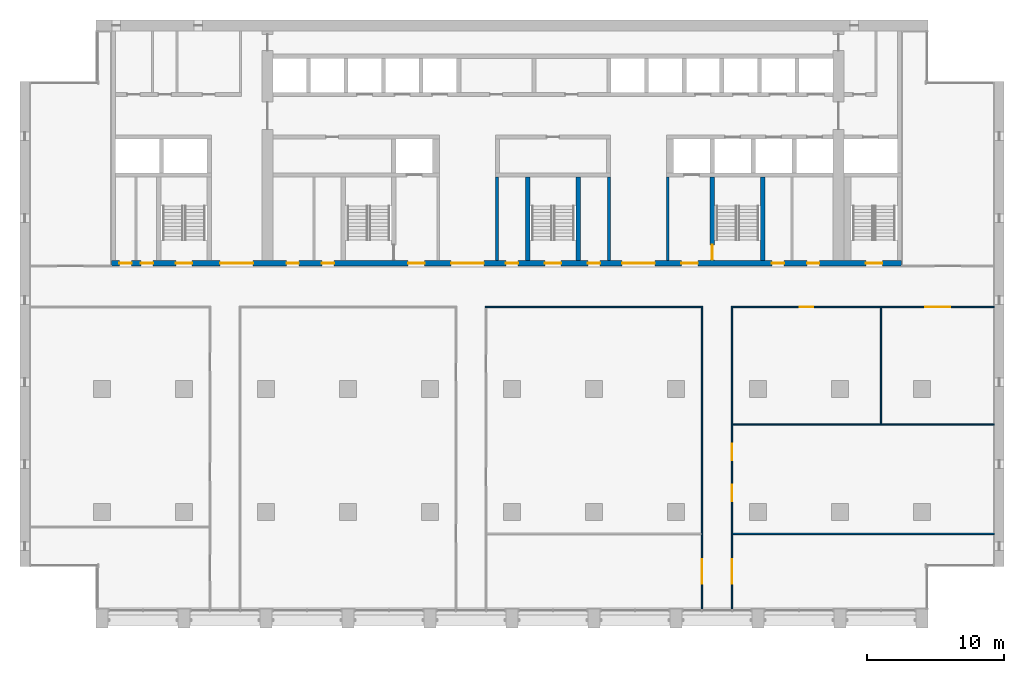
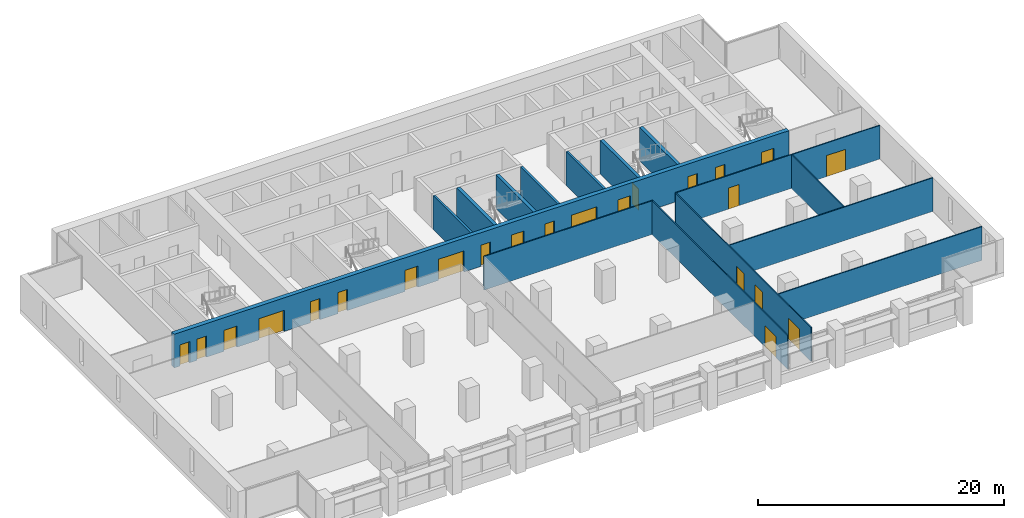
# One storey, part 9 of 16: 23 doors, 15 walls, 23 openings.
"""IFC4 building model written with IfcOpenShell, lengths in metres."""

import ifcopenshell
import ifcopenshell.guid

model = None  # the IFC model being written
_history = None  # IfcOwnerHistory: only IFC2X3 demands one
_inside = {}  # id of a spatial element -> (the spatial element, [elements in it])
_under = {}  # id of a project, library or spatial element -> (it, [spatial elements below it])
_declared = {}  # id of a project -> (the project, [libraries it declares])
_typed = {}  # id of a type object -> (the type object, [elements of that type])
_made_of = {}  # id of a material, layer set ... -> (it, [elements and type objects made of it])


def new_model(schema):
    """Start an empty IFC model of exactly this schema.

    Asked for "IFC4X3", IfcOpenShell would pick the latest addendum, in which some entities
    have other attributes; the version numbers below select the first issue.
    IFC2X3 requires an IfcOwnerHistory on every rooted entity: one is made here for all.
    """
    global model, _history
    if schema == "IFC4X3":
        model = ifcopenshell.file(schema_version=(4, 3, 0, 0))
    else:
        model = ifcopenshell.file(schema=schema)
    _inside.clear()
    _under.clear()
    _declared.clear()
    _typed.clear()
    _made_of.clear()
    _history = None
    if model.schema == "IFC2X3":
        org = make("IfcOrganization", Name="unknown")
        user = make(
            "IfcPersonAndOrganization",
            ThePerson=make("IfcPerson", FamilyName="unknown"),
            TheOrganization=org,
        )
        app = make(
            "IfcApplication",
            ApplicationDeveloper=org,
            Version="unknown",
            ApplicationFullName="unknown",
            ApplicationIdentifier="unknown",
        )
        _history = make(
            "IfcOwnerHistory",
            OwningUser=user,
            OwningApplication=app,
            ChangeAction="ADDED",
            CreationDate=0,
        )
    return model


def make(cls, **values):
    """One entity of the class cls with the attributes given. An attribute that is None is left unset."""
    return model.create_entity(
        cls, **{name: value for name, value in values.items() if value is not None}
    )


def rooted(cls, **values):
    """An entity with a GlobalId (a new one), such as an element, a storey or a relation."""
    return make(cls, GlobalId=ifcopenshell.guid.new(), OwnerHistory=_history, **values)


def si_unit(unit_type, name, prefix=None):
    """IfcSIUnit, for example si_unit("LENGTHUNIT", "METRE", prefix="MILLI")."""
    return make("IfcSIUnit", UnitType=unit_type, Prefix=prefix, Name=name)


def assignment(units):
    """IfcUnitAssignment: the units of a project."""
    return None if units is None else make("IfcUnitAssignment", Units=units)


def point(xyz):
    """IfcCartesianPoint."""
    return None if xyz is None else make("IfcCartesianPoint", Coordinates=xyz)


def direction(xyz):
    """IfcDirection."""
    return None if xyz is None else make("IfcDirection", DirectionRatios=xyz)


def frame(location, z_axis=None, x_axis=None):
    """IfcAxis2Placement3D, a coordinate frame: its origin and axes. An axis left out is left unset."""
    return make(
        "IfcAxis2Placement3D",
        Location=point(location),
        Axis=direction(z_axis),
        RefDirection=direction(x_axis),
    )


def frame_2d(location, x_axis=None):
    """IfcAxis2Placement2D, a coordinate frame in the plane: its origin and x axis."""
    return make(
        "IfcAxis2Placement2D", Location=point(location), RefDirection=direction(x_axis)
    )


def origin():
    """The frame at (0, 0, 0) with its axes left unset."""
    return frame((0.0, 0.0, 0.0))


def place(relative_to, where):
    """IfcLocalPlacement: puts the frame where relative to a parent placement (None: the world)."""
    return make(
        "IfcLocalPlacement", PlacementRelTo=relative_to, RelativePlacement=where
    )


def context(
    kind, dimensions, precision=None, world=None, true_north=None, identifier=None
):
    """IfcGeometricRepresentationContext, for example the 3D "Model" context."""
    return make(
        "IfcGeometricRepresentationContext",
        ContextIdentifier=identifier,
        ContextType=kind,
        CoordinateSpaceDimension=dimensions,
        Precision=precision,
        WorldCoordinateSystem=world,
        TrueNorth=true_north,
    )


def subcontext(parent, identifier, kind, view, scale=None):
    """IfcGeometricRepresentationSubContext, for example "Body" below "Model"."""
    return make(
        "IfcGeometricRepresentationSubContext",
        ContextIdentifier=identifier,
        ContextType=kind,
        ParentContext=parent,
        TargetScale=scale,
        TargetView=view,
    )


def project(units=None, contexts=None):
    """IfcProject with its units and contexts."""
    return rooted(
        "IfcProject",
        Name="project",
        RepresentationContexts=contexts,
        UnitsInContext=assignment(units),
    )


def spatial(cls, under=None, at=None, **own):
    """A site, building, storey or space (cls), placed at a placement, below another one or the project."""
    s = rooted(cls, ObjectPlacement=at, **own)
    if under is not None:
        _under.setdefault(under.id(), (under, []))[1].append(s)
    return s


def profile(cls, at=None, kind="AREA", **sizes):
    """A parametric profile (cls). Its sizes go by their IFC names, for example OverallWidth=200.0."""
    return make(cls, ProfileType=kind, Position=at, **sizes)


def rectangle(**sizes):
    """IfcRectangleProfileDef."""
    return profile("IfcRectangleProfileDef", **sizes)


def extrude(swept, where, along, depth):
    """IfcExtrudedAreaSolid: the profile swept, set in the frame where, extruded along a direction by depth."""
    return make(
        "IfcExtrudedAreaSolid",
        SweptArea=swept,
        Position=where,
        ExtrudedDirection=direction(along),
        Depth=depth,
    )


def shape(context_of_items, identifier, shape_type, items):
    """IfcShapeRepresentation: the items that make up one representation, for example the "Body"."""
    return make(
        "IfcShapeRepresentation",
        ContextOfItems=context_of_items,
        RepresentationIdentifier=identifier,
        RepresentationType=shape_type,
        Items=items,
    )


def material(Name=None, Category=None):
    """IfcMaterial."""
    return make("IfcMaterial", Name=Name, Category=Category)


def layer(
    of_material, thickness, ventilated=None, Name=None, Category=None, Priority=None
):
    """IfcMaterialLayer: one layer of a wall or slab, of a material (None: an air gap)."""
    return make(
        "IfcMaterialLayer",
        Material=of_material,
        LayerThickness=thickness,
        IsVentilated=ventilated,
        Name=Name,
        Category=Category,
        Priority=Priority,
    )


def layer_set(layers, Name=None):
    """IfcMaterialLayerSet."""
    return make("IfcMaterialLayerSet", MaterialLayers=layers, LayerSetName=Name)


def made_of(thing, what):
    """Note that an element or type object is made of a material, layer set ...; save() writes the relation."""
    if what is not None:
        _made_of.setdefault(what.id(), (what, []))[1].append(thing)
    return thing


def type_object(cls, material=None, **own):
    """A type object (cls), such as IfcWallType, which elements share."""
    return made_of(rooted(cls, **own), material)


def element(
    cls,
    number,
    at=None,
    inside=None,
    cuts=None,
    type_object=None,
    material=None,
    context=None,
    identifier="Body",
    shape_type=None,
    held_by="IfcProductDefinitionShape",
    body=None,
    shapes=None,
    **own,
):
    """One element of the class cls, such as IfcWall. Its Tag is "e" and its number.

    at: its placement. inside: the storey or other place that contains it. cuts: it is an
    opening in that element (IfcRelVoidsElement). A single representation is given by context,
    identifier, shape_type and body (its items); several are given by shapes. held_by: the class
    of the entity that holds the representations. save() writes the other relations.
    """
    e = rooted(cls, Tag="e%d" % number, ObjectPlacement=at, **own)
    if body is not None:
        shapes = [shape(context, identifier, shape_type, body)]
    if shapes is not None:
        e.Representation = make(held_by, Representations=shapes)
    if inside is not None:
        _inside.setdefault(inside.id(), (inside, []))[1].append(e)
    if cuts is not None:
        rooted(
            "IfcRelVoidsElement", RelatingBuildingElement=cuts, RelatedOpeningElement=e
        )
    if type_object is not None:
        _typed.setdefault(type_object.id(), (type_object, []))[1].append(e)
    return made_of(e, material)


def fill(opening, filler):
    """IfcRelFillsElement: the door or window that sits in an opening."""
    return rooted(
        "IfcRelFillsElement",
        RelatingOpeningElement=opening,
        RelatedBuildingElement=filler,
    )


def aggregate(whole, parts):
    """IfcRelAggregates: a whole, such as a stair, and the parts it consists of."""
    return rooted("IfcRelAggregates", RelatingObject=whole, RelatedObjects=parts)


def save(model, path):
    """Write the relations noted so far, then the file.

    IfcRelAggregates (storeys below a building ...), IfcRelContainedInSpatialStructure (elements
    in a storey), IfcRelDefinesByType, IfcRelAssociatesMaterial and IfcRelDeclares: one each for
    every whole, place, type object, material and project.
    """
    for whole, parts in _under.values():
        aggregate(whole, parts)
    for where, things in _inside.values():
        rooted(
            "IfcRelContainedInSpatialStructure",
            RelatedElements=things,
            RelatingStructure=where,
        )
    for kind, things in _typed.values():
        rooted("IfcRelDefinesByType", RelatedObjects=things, RelatingType=kind)
    for what, things in _made_of.values():
        rooted("IfcRelAssociatesMaterial", RelatedObjects=things, RelatingMaterial=what)
    for by, libraries in _declared.values():
        rooted("IfcRelDeclares", RelatingContext=by, RelatedDefinitions=libraries)
    model.write(path)


model = new_model("IFC4")

# Units and contexts
model_context = context("Model", 3, precision=1e-05, world=origin(), true_north=direction((0.0, 1.0)))
body_context = subcontext(model_context, "Body", "Model", "MODEL_VIEW")
ifc_project = project(units=[si_unit("LENGTHUNIT", "METRE"), si_unit("AREAUNIT", "SQUARE_METRE"), si_unit("VOLUMEUNIT", "CUBIC_METRE"), si_unit("PLANEANGLEUNIT", "RADIAN"), si_unit("MASSUNIT", "GRAM", prefix="KILO")], contexts=[model_context])

# Site, building, storey
site_placement = place(None, origin())
site = spatial("IfcSite", under=ifc_project, at=site_placement, CompositionType="ELEMENT")
building_placement = place(site_placement, origin())
building = spatial("IfcBuilding", under=site, at=building_placement, Name="Calvaro Tower", CompositionType="ELEMENT")
storey_placement = place(building_placement, frame((0.0, 0.0, 140.0)))
storey = spatial("IfcBuildingStorey", under=building, at=storey_placement, Name="L35", CompositionType="ELEMENT", Elevation=140.0)

# Walls
ifc_material_1 = material(Name="Blockwork partition", Category="masonry")
ifc_layer_1 = layer(ifc_material_1, 0.199951171875)
ifc_layer_set_1 = layer_set([ifc_layer_1], Name="Blockwork partition")
wall_type_1 = type_object("IfcWallType", Name="Core partition 200 REI 120", PredefinedType="PARTITIONING", material=ifc_layer_set_1)
for number, where, z_axis, x_axis, name in (
    (1, (34.89990234375, 28.39990234375, 0.0), (0.0, 0.0, 1.0), (0.0, 1.0, 0.0), "Core partition"),
    (2, (43.10009765625, 28.39990234375, 0.0), (0.0, 0.0, 1.0), (0.0, 1.0, 0.0), "Core partition"),
    (3, (47.39990234375, 28.39990234375, 0.0), (0.0, 0.0, 1.0), (0.0, 1.0, 0.0), "Core partition"),
):
    element("IfcWall", number, at=place(storey_placement, frame(where, z_axis=z_axis, x_axis=x_axis)), inside=storey, type_object=wall_type_1, Name=name, PredefinedType="PARTITIONING", context=body_context, shape_type="SweptSolid", body=[
        extrude(rectangle(XDim=6.10009765625, YDim=0.199951171875, at=frame_2d((3.050048828125, 0.0))), origin(), (0.0, 0.0, 1.0), 3.35009765625),
    ])
ifc_material_2 = material(Name="Concrete C60/75", Category="concrete")
ifc_layer_2 = layer(ifc_material_2, 0.300048828125)
ifc_layer_set_2 = layer_set([ifc_layer_2], Name="Concrete C60/75")
wall_type_2 = type_object("IfcWallType", Name="Core wall C60/75 300", PredefinedType="SHEAR", material=ifc_layer_set_2)
for number, where, z_axis, x_axis, name in (
    (4, (37.14990234375, 28.39990234375, 0.0), (0.0, 0.0, 1.0), (0.0, 1.0, 0.0), "Core wall, stair enclosure"),
    (5, (40.85009765625, 28.39990234375, 0.0), (0.0, 0.0, 1.0), (0.0, 1.0, 0.0), "Core wall, stair enclosure"),
):
    element("IfcWall", number, at=place(storey_placement, frame(where, z_axis=z_axis, x_axis=x_axis)), inside=storey, type_object=wall_type_2, Name=name, PredefinedType="SHEAR", context=body_context, shape_type="SweptSolid", body=[
        extrude(rectangle(XDim=6.10009765625, YDim=0.300048828125, at=frame_2d((3.050048828125, 0.0))), origin(), (0.0, 0.0, 1.0), 3.35009765625),
    ])

# Wall, opening, door
wall_1_placement = place(storey_placement, frame((50.64990234375, 34.5, 0.0), z_axis=(0.0, 0.0, 1.0), x_axis=(0.0, -1.0, 0.0)))
wall_1 = element("IfcWall", 6, at=wall_1_placement, inside=storey, type_object=wall_type_2, Name="Core wall, stair enclosure", PredefinedType="SHEAR", context=body_context, shape_type="SweptSolid", body=[
    extrude(rectangle(XDim=6.10009765625, YDim=0.300048828125, at=frame_2d((3.050048828125, 0.0))), origin(), (0.0, 0.0, 1.0), 3.35009765625),
])
opening_1_placement = place(wall_1_placement, frame((4.949951171875, 0.0, 0.0)))
opening_1 = element("IfcOpeningElement", 7, at=opening_1_placement, cuts=wall_1, Name="Opening FD11D", PredefinedType="OPENING", context=body_context, shape_type="SweptSolid", body=[
    extrude(rectangle(XDim=1.10009765625, YDim=2.10009765625, at=frame_2d((0.550048828125, 1.050048828125))), frame((0.0, 0.159912109375, 0.0), z_axis=(0.0, -1.0, 0.0), x_axis=(1.0, 0.0, 0.0)), (0.0, 0.0, 1.0), 0.320068359375),
])
ifc_material_3 = material(Name="Steel door set", Category="steel")
door_type_1 = type_object("IfcDoorType", Name="Fire door 1100 FD30S", OperationType="SINGLE_SWING_LEFT", PredefinedType="DOOR", material=ifc_material_3)
door_1_placement = place(opening_1_placement, origin())
door_1 = element("IfcDoor", 8, at=door_1_placement, inside=storey, type_object=door_type_1, Name="Fire door", OperationType="SINGLE_SWING_RIGHT", OverallHeight=2.10009765625, OverallWidth=1.10009765625, PredefinedType="DOOR", context=body_context, shape_type="SweptSolid", body=[
    extrude(rectangle(XDim=1.10009765625, YDim=2.10009765625, at=frame_2d((0.550048828125, 1.050048828125))), frame((0.0, 0.02490234375, 0.0), z_axis=(0.0, -1.0, 0.0), x_axis=(1.0, 0.0, 0.0)), (0.0, 0.0, 1.0), 0.050048828125),
])
fill(opening_1, door_1)

# Wall
wall_2_placement = place(storey_placement, frame((54.35009765625, 28.39990234375, 0.0), z_axis=(0.0, 0.0, 1.0), x_axis=(0.0, 1.0, 0.0)))
element("IfcWall", 9, at=wall_2_placement, inside=storey, type_object=wall_type_2, Name="Core wall, stair enclosure", PredefinedType="SHEAR", context=body_context, shape_type="SweptSolid", body=[
    extrude(rectangle(XDim=6.10009765625, YDim=0.300048828125, at=frame_2d((3.050048828125, 0.0))), origin(), (0.0, 0.0, 1.0), 3.35009765625),
])

# Wall, openings, doors
ifc_material_4 = material(Name="Concrete C60/75", Category="concrete")
ifc_layer_3 = layer(ifc_material_4, 0.39990234375)
ifc_layer_set_3 = layer_set([ifc_layer_3], Name="Concrete C60/75")
wall_type_3 = type_object("IfcWallType", Name="Core wall C60/75 400", PredefinedType="SHEAR", material=ifc_layer_set_3)
wall_3_placement = place(storey_placement, frame((6.699951171875, 28.199951171875, 0.0), z_axis=(0.0, 0.0, 1.0), x_axis=(1.0, 0.0, 0.0)))
wall_3 = element("IfcWall", 10, at=wall_3_placement, inside=storey, type_object=wall_type_3, Name="Core wall, front", PredefinedType="SHEAR", context=body_context, shape_type="SweptSolid", body=[
    extrude(rectangle(XDim=57.800048828125, YDim=0.39990234375, at=frame_2d((28.89990234375, 0.0))), origin(), (0.0, 0.0, 1.0), 3.35009765625),
])
opening_2_placement = place(wall_3_placement, frame((12.8125, 0.0, 0.0)))
opening_2 = element("IfcOpeningElement", 11, at=opening_2_placement, cuts=wall_3, Name="Opening RD9E", PredefinedType="OPENING", context=body_context, shape_type="SweptSolid", body=[
    extrude(rectangle(XDim=0.89990234375, YDim=2.10009765625, at=frame_2d((0.449951171875, 1.050048828125))), frame((0.0, 0.2099609375, 0.0), z_axis=(0.0, -1.0, 0.0), x_axis=(1.0, 0.0, 0.0)), (0.0, 0.0, 1.0), 0.419921875),
])
opening_3_placement = place(wall_3_placement, frame((15.387451171875, 0.0, 0.0)))
opening_3 = element("IfcOpeningElement", 12, at=opening_3_placement, cuts=wall_3, Name="Opening RD9E", PredefinedType="OPENING", context=body_context, shape_type="SweptSolid", body=[
    extrude(rectangle(XDim=0.89990234375, YDim=2.10009765625, at=frame_2d((0.449951171875, 1.050048828125))), frame((0.0, 0.2099609375, 0.0), z_axis=(0.0, -1.0, 0.0), x_axis=(1.0, 0.0, 0.0)), (0.0, 0.0, 1.0), 0.419921875),
])
opening_4_placement = place(wall_3_placement, frame((48.3125, 0.0, 0.0)))
opening_4 = element("IfcOpeningElement", 13, at=opening_4_placement, cuts=wall_3, Name="Opening RD9E", PredefinedType="OPENING", context=body_context, shape_type="SweptSolid", body=[
    extrude(rectangle(XDim=0.89990234375, YDim=2.10009765625, at=frame_2d((0.449951171875, 1.050048828125))), frame((0.0, 0.2099609375, 0.0), z_axis=(0.0, -1.0, 0.0), x_axis=(1.0, 0.0, 0.0)), (0.0, 0.0, 1.0), 0.419921875),
])
opening_5_placement = place(wall_3_placement, frame((50.887451171875, 0.0, 0.0)))
opening_5 = element("IfcOpeningElement", 14, at=opening_5_placement, cuts=wall_3, Name="Opening RD9E", PredefinedType="OPENING", context=body_context, shape_type="SweptSolid", body=[
    extrude(rectangle(XDim=0.89990234375, YDim=2.10009765625, at=frame_2d((0.449951171875, 1.050048828125))), frame((0.0, 0.2099609375, 0.0), z_axis=(0.0, -1.0, 0.0), x_axis=(1.0, 0.0, 0.0)), (0.0, 0.0, 1.0), 0.419921875),
])
opening_6_placement = place(wall_3_placement, frame((0.5625, 0.0, 0.0)))
opening_6 = element("IfcOpeningElement", 15, at=opening_6_placement, cuts=wall_3, Name="Opening RD9E", PredefinedType="OPENING", context=body_context, shape_type="SweptSolid", body=[
    extrude(rectangle(XDim=0.89990234375, YDim=2.10009765625, at=frame_2d((0.449951171875, 1.050048828125))), frame((0.0, 0.2099609375, 0.0), z_axis=(0.0, -1.0, 0.0), x_axis=(1.0, 0.0, 0.0)), (0.0, 0.0, 1.0), 0.419921875),
])
opening_7_placement = place(wall_3_placement, frame((2.137451171875, 0.0, 0.0)))
opening_7 = element("IfcOpeningElement", 16, at=opening_7_placement, cuts=wall_3, Name="Opening RD9C", PredefinedType="OPENING", context=body_context, shape_type="SweptSolid", body=[
    extrude(rectangle(XDim=0.89990234375, YDim=2.10009765625, at=frame_2d((0.449951171875, 1.050048828125))), frame((0.0, 0.2099609375, 0.0), z_axis=(0.0, -1.0, 0.0), x_axis=(1.0, 0.0, 0.0)), (0.0, 0.0, 1.0), 0.419921875),
])
opening_8_placement = place(wall_3_placement, frame((4.699951171875, 0.0, 0.0)))
opening_8 = element("IfcOpeningElement", 17, at=opening_8_placement, cuts=wall_3, Name="Opening SD12D", PredefinedType="OPENING", context=body_context, shape_type="SweptSolid", body=[
    extrude(rectangle(XDim=1.199951171875, YDim=2.10009765625, at=frame_2d((0.60009765625, 1.050048828125))), frame((0.0, 0.2099609375, 0.0), z_axis=(0.0, -1.0, 0.0), x_axis=(1.0, 0.0, 0.0)), (0.0, 0.0, 1.0), 0.419921875),
])
opening_9_placement = place(wall_3_placement, frame((31.699951171875, 0.0, 0.0)))
opening_9 = element("IfcOpeningElement", 18, at=opening_9_placement, cuts=wall_3, Name="Opening SD12D", PredefinedType="OPENING", context=body_context, shape_type="SweptSolid", body=[
    extrude(rectangle(XDim=1.199951171875, YDim=2.10009765625, at=frame_2d((0.60009765625, 1.050048828125))), frame((0.0, 0.2099609375, 0.0), z_axis=(0.0, -1.0, 0.0), x_axis=(1.0, 0.0, 0.0)), (0.0, 0.0, 1.0), 0.419921875),
])
opening_10_placement = place(wall_3_placement, frame((55.199951171875, 0.0, 0.0)))
opening_10 = element("IfcOpeningElement", 19, at=opening_10_placement, cuts=wall_3, Name="Opening SD12D", PredefinedType="OPENING", context=body_context, shape_type="SweptSolid", body=[
    extrude(rectangle(XDim=1.199951171875, YDim=2.10009765625, at=frame_2d((0.60009765625, 1.050048828125))), frame((0.0, 0.2099609375, 0.0), z_axis=(0.0, -1.0, 0.0), x_axis=(1.0, 0.0, 0.0)), (0.0, 0.0, 1.0), 0.419921875),
])
opening_11_placement = place(wall_3_placement, frame((21.699951171875, 0.0, 0.0)))
opening_11 = element("IfcOpeningElement", 20, at=opening_11_placement, cuts=wall_3, Name="Opening FD12F", PredefinedType="OPENING", context=body_context, shape_type="SweptSolid", body=[
    extrude(rectangle(XDim=1.199951171875, YDim=2.10009765625, at=frame_2d((0.60009765625, 1.050048828125))), frame((0.0, 0.2099609375, 0.0), z_axis=(0.0, -1.0, 0.0), x_axis=(1.0, 0.0, 0.0)), (0.0, 0.0, 1.0), 0.419921875),
])
opening_12_placement = place(wall_3_placement, frame((41.699951171875, 0.0, 0.0)))
opening_12 = element("IfcOpeningElement", 21, at=opening_12_placement, cuts=wall_3, Name="Opening FD12F", PredefinedType="OPENING", context=body_context, shape_type="SweptSolid", body=[
    extrude(rectangle(XDim=1.199951171875, YDim=2.10009765625, at=frame_2d((0.60009765625, 1.050048828125))), frame((0.0, 0.2099609375, 0.0), z_axis=(0.0, -1.0, 0.0), x_axis=(1.0, 0.0, 0.0)), (0.0, 0.0, 1.0), 0.419921875),
])
opening_13_placement = place(wall_3_placement, frame((24.85009765625, 0.0, 0.0)))
opening_13 = element("IfcOpeningElement", 22, at=opening_13_placement, cuts=wall_3, Name="Opening DD24D", PredefinedType="OPENING", context=body_context, shape_type="SweptSolid", body=[
    extrude(rectangle(XDim=2.39990234375, YDim=2.10009765625, at=frame_2d((1.199951171875, 1.050048828125))), frame((0.0, 0.2099609375, 0.0), z_axis=(0.0, -1.0, 0.0), x_axis=(1.0, 0.0, 0.0)), (0.0, 0.0, 1.0), 0.419921875),
])
opening_14_placement = place(wall_3_placement, frame((37.35009765625, 0.0, 0.0)))
opening_14 = element("IfcOpeningElement", 23, at=opening_14_placement, cuts=wall_3, Name="Opening DD24D", PredefinedType="OPENING", context=body_context, shape_type="SweptSolid", body=[
    extrude(rectangle(XDim=2.39990234375, YDim=2.10009765625, at=frame_2d((1.199951171875, 1.050048828125))), frame((0.0, 0.2099609375, 0.0), z_axis=(0.0, -1.0, 0.0), x_axis=(1.0, 0.0, 0.0)), (0.0, 0.0, 1.0), 0.419921875),
])
opening_15_placement = place(wall_3_placement, frame((7.949951171875, 0.0, 0.0)))
opening_15 = element("IfcOpeningElement", 24, at=opening_15_placement, cuts=wall_3, Name="Opening DD24D", PredefinedType="OPENING", context=body_context, shape_type="SweptSolid", body=[
    extrude(rectangle(XDim=2.39990234375, YDim=2.10009765625, at=frame_2d((1.199951171875, 1.050048828125))), frame((0.0, 0.2099609375, 0.0), z_axis=(0.0, -1.0, 0.0), x_axis=(1.0, 0.0, 0.0)), (0.0, 0.0, 1.0), 0.419921875),
])
opening_16_placement = place(wall_3_placement, frame((28.85009765625, 0.0, 0.0)))
opening_16 = element("IfcOpeningElement", 25, at=opening_16_placement, cuts=wall_3, Name="Opening RD9E", PredefinedType="OPENING", context=body_context, shape_type="SweptSolid", body=[
    extrude(rectangle(XDim=0.89990234375, YDim=2.10009765625, at=frame_2d((0.449951171875, 1.050048828125))), frame((0.0, 0.2099609375, 0.0), z_axis=(0.0, -1.0, 0.0), x_axis=(1.0, 0.0, 0.0)), (0.0, 0.0, 1.0), 0.419921875),
])
opening_17_placement = place(wall_3_placement, frame((34.85009765625, 0.0, 0.0)))
opening_17 = element("IfcOpeningElement", 26, at=opening_17_placement, cuts=wall_3, Name="Opening RD9E", PredefinedType="OPENING", context=body_context, shape_type="SweptSolid", body=[
    extrude(rectangle(XDim=0.89990234375, YDim=2.10009765625, at=frame_2d((0.449951171875, 1.050048828125))), frame((0.0, 0.2099609375, 0.0), z_axis=(0.0, -1.0, 0.0), x_axis=(1.0, 0.0, 0.0)), (0.0, 0.0, 1.0), 0.419921875),
])
ifc_material_5 = material(Name="Steel door set", Category="steel")
door_type_2 = type_object("IfcDoorType", Name="Fire door 1200 FD60S", OperationType="SINGLE_SWING_LEFT", PredefinedType="DOOR", material=ifc_material_5)
door_2_placement = place(opening_11_placement, origin())
door_2 = element("IfcDoor", 27, at=door_2_placement, inside=storey, type_object=door_type_2, Name="Fire door", OperationType="SINGLE_SWING_LEFT", OverallHeight=2.10009765625, OverallWidth=1.199951171875, PredefinedType="DOOR", context=body_context, shape_type="SweptSolid", body=[
    extrude(rectangle(XDim=1.199951171875, YDim=2.10009765625, at=frame_2d((0.60009765625, 1.050048828125))), frame((0.0, 0.02490234375, 0.0), z_axis=(0.0, -1.0, 0.0), x_axis=(1.0, 0.0, 0.0)), (0.0, 0.0, 1.0), 0.050048828125),
])
fill(opening_11, door_2)
door_3_placement = place(opening_12_placement, origin())
door_3 = element("IfcDoor", 28, at=door_3_placement, inside=storey, type_object=door_type_2, Name="Fire door", OperationType="SINGLE_SWING_LEFT", OverallHeight=2.10009765625, OverallWidth=1.199951171875, PredefinedType="DOOR", context=body_context, shape_type="SweptSolid", body=[
    extrude(rectangle(XDim=1.199951171875, YDim=2.10009765625, at=frame_2d((0.60009765625, 1.050048828125))), frame((0.0, 0.02490234375, 0.0), z_axis=(0.0, -1.0, 0.0), x_axis=(1.0, 0.0, 0.0)), (0.0, 0.0, 1.0), 0.050048828125),
])
fill(opening_12, door_3)
ifc_material_6 = material(Name="Steel door set", Category="steel")
door_type_3 = type_object("IfcDoorType", Name="Lobby double door 2400 FD30S", OperationType="DOUBLE_DOOR_SINGLE_SWING", PredefinedType="DOOR", material=ifc_material_6)
door_4_placement = place(opening_13_placement, origin())
door_4 = element("IfcDoor", 29, at=door_4_placement, inside=storey, type_object=door_type_3, Name="Lobby double door", OperationType="DOUBLE_DOOR_SINGLE_SWING", OverallHeight=2.10009765625, OverallWidth=2.39990234375, PredefinedType="DOOR", context=body_context, shape_type="SweptSolid", body=[
    extrude(rectangle(XDim=2.39990234375, YDim=2.10009765625, at=frame_2d((1.199951171875, 1.050048828125))), frame((0.0, 0.02490234375, 0.0), z_axis=(0.0, -1.0, 0.0), x_axis=(1.0, 0.0, 0.0)), (0.0, 0.0, 1.0), 0.050048828125),
])
fill(opening_13, door_4)
door_5_placement = place(opening_14_placement, origin())
door_5 = element("IfcDoor", 30, at=door_5_placement, inside=storey, type_object=door_type_3, Name="Lobby double door", OperationType="DOUBLE_DOOR_SINGLE_SWING", OverallHeight=2.10009765625, OverallWidth=2.39990234375, PredefinedType="DOOR", context=body_context, shape_type="SweptSolid", body=[
    extrude(rectangle(XDim=2.39990234375, YDim=2.10009765625, at=frame_2d((1.199951171875, 1.050048828125))), frame((0.0, 0.02490234375, 0.0), z_axis=(0.0, -1.0, 0.0), x_axis=(1.0, 0.0, 0.0)), (0.0, 0.0, 1.0), 0.050048828125),
])
fill(opening_14, door_5)
door_6_placement = place(opening_15_placement, origin())
door_6 = element("IfcDoor", 31, at=door_6_placement, inside=storey, type_object=door_type_3, Name="Lobby double door", OperationType="DOUBLE_DOOR_SINGLE_SWING", OverallHeight=2.10009765625, OverallWidth=2.39990234375, PredefinedType="DOOR", context=body_context, shape_type="SweptSolid", body=[
    extrude(rectangle(XDim=2.39990234375, YDim=2.10009765625, at=frame_2d((1.199951171875, 1.050048828125))), frame((0.0, 0.02490234375, 0.0), z_axis=(0.0, -1.0, 0.0), x_axis=(1.0, 0.0, 0.0)), (0.0, 0.0, 1.0), 0.050048828125),
])
fill(opening_15, door_6)
ifc_material_7 = material(Name="Steel door set", Category="steel")
door_type_4 = type_object("IfcDoorType", Name="Room door 900 FD30", OperationType="SINGLE_SWING_LEFT", PredefinedType="DOOR", material=ifc_material_7)
door_7_placement = place(opening_7_placement, origin())
door_7 = element("IfcDoor", 32, at=door_7_placement, inside=storey, type_object=door_type_4, Name="Room door", OperationType="SINGLE_SWING_LEFT", OverallHeight=2.10009765625, OverallWidth=0.89990234375, PredefinedType="DOOR", context=body_context, shape_type="SweptSolid", body=[
    extrude(rectangle(XDim=0.89990234375, YDim=2.10009765625, at=frame_2d((0.449951171875, 1.050048828125))), frame((0.0, 0.02490234375, 0.0), z_axis=(0.0, -1.0, 0.0), x_axis=(1.0, 0.0, 0.0)), (0.0, 0.0, 1.0), 0.050048828125),
])
fill(opening_7, door_7)
ifc_material_8 = material(Name="Steel door set", Category="steel")
door_type_5 = type_object("IfcDoorType", Name="Room door 900 FD60", OperationType="SINGLE_SWING_LEFT", PredefinedType="DOOR", material=ifc_material_8)
door_8_placement = place(opening_2_placement, origin())
door_8 = element("IfcDoor", 33, at=door_8_placement, inside=storey, type_object=door_type_5, Name="Room door", OperationType="SINGLE_SWING_LEFT", OverallHeight=2.10009765625, OverallWidth=0.89990234375, PredefinedType="DOOR", context=body_context, shape_type="SweptSolid", body=[
    extrude(rectangle(XDim=0.89990234375, YDim=2.10009765625, at=frame_2d((0.449951171875, 1.050048828125))), frame((0.0, 0.02490234375, 0.0), z_axis=(0.0, -1.0, 0.0), x_axis=(1.0, 0.0, 0.0)), (0.0, 0.0, 1.0), 0.050048828125),
])
fill(opening_2, door_8)
door_9_placement = place(opening_3_placement, origin())
door_9 = element("IfcDoor", 34, at=door_9_placement, inside=storey, type_object=door_type_5, Name="Room door", OperationType="SINGLE_SWING_RIGHT", OverallHeight=2.10009765625, OverallWidth=0.89990234375, PredefinedType="DOOR", context=body_context, shape_type="SweptSolid", body=[
    extrude(rectangle(XDim=0.89990234375, YDim=2.10009765625, at=frame_2d((0.449951171875, 1.050048828125))), frame((0.0, 0.02490234375, 0.0), z_axis=(0.0, -1.0, 0.0), x_axis=(1.0, 0.0, 0.0)), (0.0, 0.0, 1.0), 0.050048828125),
])
fill(opening_3, door_9)
door_10_placement = place(opening_4_placement, origin())
door_10 = element("IfcDoor", 35, at=door_10_placement, inside=storey, type_object=door_type_5, Name="Room door", OperationType="SINGLE_SWING_LEFT", OverallHeight=2.10009765625, OverallWidth=0.89990234375, PredefinedType="DOOR", context=body_context, shape_type="SweptSolid", body=[
    extrude(rectangle(XDim=0.89990234375, YDim=2.10009765625, at=frame_2d((0.449951171875, 1.050048828125))), frame((0.0, 0.02490234375, 0.0), z_axis=(0.0, -1.0, 0.0), x_axis=(1.0, 0.0, 0.0)), (0.0, 0.0, 1.0), 0.050048828125),
])
fill(opening_4, door_10)
door_11_placement = place(opening_5_placement, origin())
door_11 = element("IfcDoor", 36, at=door_11_placement, inside=storey, type_object=door_type_5, Name="Room door", OperationType="SINGLE_SWING_LEFT", OverallHeight=2.10009765625, OverallWidth=0.89990234375, PredefinedType="DOOR", context=body_context, shape_type="SweptSolid", body=[
    extrude(rectangle(XDim=0.89990234375, YDim=2.10009765625, at=frame_2d((0.449951171875, 1.050048828125))), frame((0.0, 0.02490234375, 0.0), z_axis=(0.0, -1.0, 0.0), x_axis=(1.0, 0.0, 0.0)), (0.0, 0.0, 1.0), 0.050048828125),
])
fill(opening_5, door_11)
door_12_placement = place(opening_6_placement, origin())
door_12 = element("IfcDoor", 37, at=door_12_placement, inside=storey, type_object=door_type_5, Name="Room door", OperationType="SINGLE_SWING_LEFT", OverallHeight=2.10009765625, OverallWidth=0.89990234375, PredefinedType="DOOR", context=body_context, shape_type="SweptSolid", body=[
    extrude(rectangle(XDim=0.89990234375, YDim=2.10009765625, at=frame_2d((0.449951171875, 1.050048828125))), frame((0.0, 0.02490234375, 0.0), z_axis=(0.0, -1.0, 0.0), x_axis=(1.0, 0.0, 0.0)), (0.0, 0.0, 1.0), 0.050048828125),
])
fill(opening_6, door_12)
door_13_placement = place(opening_16_placement, origin())
door_13 = element("IfcDoor", 38, at=door_13_placement, inside=storey, type_object=door_type_5, Name="Room door", OperationType="SINGLE_SWING_LEFT", OverallHeight=2.10009765625, OverallWidth=0.89990234375, PredefinedType="DOOR", context=body_context, shape_type="SweptSolid", body=[
    extrude(rectangle(XDim=0.89990234375, YDim=2.10009765625, at=frame_2d((0.449951171875, 1.050048828125))), frame((0.0, 0.02490234375, 0.0), z_axis=(0.0, -1.0, 0.0), x_axis=(1.0, 0.0, 0.0)), (0.0, 0.0, 1.0), 0.050048828125),
])
fill(opening_16, door_13)
door_14_placement = place(opening_17_placement, origin())
door_14 = element("IfcDoor", 39, at=door_14_placement, inside=storey, type_object=door_type_5, Name="Room door", OperationType="SINGLE_SWING_LEFT", OverallHeight=2.10009765625, OverallWidth=0.89990234375, PredefinedType="DOOR", context=body_context, shape_type="SweptSolid", body=[
    extrude(rectangle(XDim=0.89990234375, YDim=2.10009765625, at=frame_2d((0.449951171875, 1.050048828125))), frame((0.0, 0.02490234375, 0.0), z_axis=(0.0, -1.0, 0.0), x_axis=(1.0, 0.0, 0.0)), (0.0, 0.0, 1.0), 0.050048828125),
])
fill(opening_17, door_14)
ifc_material_9 = material(Name="Steel door set", Category="steel")
door_type_6 = type_object("IfcDoorType", Name="Stair door 1200 FD30S", OperationType="SINGLE_SWING_LEFT", PredefinedType="DOOR", material=ifc_material_9)
door_15_placement = place(opening_8_placement, origin())
door_15 = element("IfcDoor", 40, at=door_15_placement, inside=storey, type_object=door_type_6, Name="Stair door", OperationType="SINGLE_SWING_LEFT", OverallHeight=2.10009765625, OverallWidth=1.199951171875, PredefinedType="DOOR", context=body_context, shape_type="SweptSolid", body=[
    extrude(rectangle(XDim=1.199951171875, YDim=2.10009765625, at=frame_2d((0.60009765625, 1.050048828125))), frame((0.0, 0.02490234375, 0.0), z_axis=(0.0, -1.0, 0.0), x_axis=(1.0, 0.0, 0.0)), (0.0, 0.0, 1.0), 0.050048828125),
])
fill(opening_8, door_15)
door_16_placement = place(opening_9_placement, origin())
door_16 = element("IfcDoor", 41, at=door_16_placement, inside=storey, type_object=door_type_6, Name="Stair door", OperationType="SINGLE_SWING_LEFT", OverallHeight=2.10009765625, OverallWidth=1.199951171875, PredefinedType="DOOR", context=body_context, shape_type="SweptSolid", body=[
    extrude(rectangle(XDim=1.199951171875, YDim=2.10009765625, at=frame_2d((0.60009765625, 1.050048828125))), frame((0.0, 0.02490234375, 0.0), z_axis=(0.0, -1.0, 0.0), x_axis=(1.0, 0.0, 0.0)), (0.0, 0.0, 1.0), 0.050048828125),
])
fill(opening_9, door_16)
door_17_placement = place(opening_10_placement, origin())
door_17 = element("IfcDoor", 42, at=door_17_placement, inside=storey, type_object=door_type_6, Name="Stair door", OperationType="SINGLE_SWING_LEFT", OverallHeight=2.10009765625, OverallWidth=1.199951171875, PredefinedType="DOOR", context=body_context, shape_type="SweptSolid", body=[
    extrude(rectangle(XDim=1.199951171875, YDim=2.10009765625, at=frame_2d((0.60009765625, 1.050048828125))), frame((0.0, 0.02490234375, 0.0), z_axis=(0.0, -1.0, 0.0), x_axis=(1.0, 0.0, 0.0)), (0.0, 0.0, 1.0), 0.050048828125),
])
fill(opening_10, door_17)

# Walls
ifc_material_10 = material(Name="Plasterboard on steel studs", Category="steel")
ifc_layer_4 = layer(ifc_material_10, 0.10009765625)
ifc_layer_set_4 = layer_set([ifc_layer_4], Name="Plasterboard on steel studs")
wall_type_4 = type_object("IfcWallType", Name="Partition 100", PredefinedType="PARTITIONING", material=ifc_layer_set_4)
wall_4_placement = place(storey_placement, frame((52.14990234375, 8.39990234375, 0.0), z_axis=(0.0, 0.0, 1.0), x_axis=(1.0, 0.0, 0.0)))
element("IfcWall", 43, at=wall_4_placement, inside=storey, type_object=wall_type_4, Name="Partition T21.W002", PredefinedType="PARTITIONING", context=body_context, shape_type="SweptSolid", body=[
    extrude(rectangle(XDim=19.150146484375, YDim=0.10009765625, at=frame_2d((9.5751953125, 0.0))), origin(), (0.0, 0.0, 1.0), 3.35009765625),
])
wall_5_placement = place(storey_placement, frame((34.050048828125, 25.0, 0.0), z_axis=(0.0, 0.0, 1.0), x_axis=(1.0, 0.0, 0.0)))
element("IfcWall", 44, at=wall_5_placement, inside=storey, type_object=wall_type_4, Name="Partition T21.W007", PredefinedType="PARTITIONING", context=body_context, shape_type="SweptSolid", body=[
    extrude(rectangle(XDim=15.89990234375, YDim=0.10009765625, at=frame_2d((7.949951171875, 0.0))), origin(), (0.0, 0.0, 1.0), 3.35009765625),
])

# Wall, opening, door
wall_6_placement = place(storey_placement, frame((49.89990234375, 2.89990234375, 0.0), z_axis=(0.0, 0.0, 1.0), x_axis=(0.0, 1.0, 0.0)))
wall_6 = element("IfcWall", 45, at=wall_6_placement, inside=storey, type_object=wall_type_4, Name="Partition T21.W015", PredefinedType="PARTITIONING", context=body_context, shape_type="SweptSolid", body=[
    extrude(rectangle(XDim=22.050048828125, YDim=0.10009765625, at=frame_2d((11.02490234375, 0.0))), origin(), (0.0, 0.0, 1.0), 3.35009765625),
])
opening_18_placement = place(wall_6_placement, frame((1.85009765625, 0.0, 0.0)))
opening_18 = element("IfcOpeningElement", 46, at=opening_18_placement, cuts=wall_6, Name="Opening T21.001", PredefinedType="OPENING", context=body_context, shape_type="SweptSolid", body=[
    extrude(rectangle(XDim=1.800048828125, YDim=2.10009765625, at=frame_2d((0.89990234375, 1.050048828125))), frame((0.0, 0.06005859375, 0.0), z_axis=(0.0, -1.0, 0.0), x_axis=(1.0, 0.0, 0.0)), (0.0, 0.0, 1.0), 0.1201171875),
])
ifc_material_11 = material(Name="Timber", Category="wood")
door_type_7 = type_object("IfcDoorType", Name="Internal double door 1800 x 2100", OperationType="DOUBLE_DOOR_SINGLE_SWING", PredefinedType="DOOR", material=ifc_material_11)
door_18_placement = place(opening_18_placement, origin())
door_18 = element("IfcDoor", 47, at=door_18_placement, inside=storey, type_object=door_type_7, Name="Door T21.001", OperationType="DOUBLE_DOOR_SINGLE_SWING", OverallHeight=2.10009765625, OverallWidth=1.800048828125, PredefinedType="DOOR", context=body_context, shape_type="SweptSolid", body=[
    extrude(rectangle(XDim=1.800048828125, YDim=2.10009765625, at=frame_2d((0.89990234375, 1.050048828125))), frame((0.0, 0.02490234375, 0.0), z_axis=(0.0, -1.0, 0.0), x_axis=(1.0, 0.0, 0.0)), (0.0, 0.0, 1.0), 0.050048828125),
])
fill(opening_18, door_18)

# Wall, openings, doors
wall_7_placement = place(storey_placement, frame((52.10009765625, 2.89990234375, 0.0), z_axis=(0.0, 0.0, 1.0), x_axis=(0.0, 1.0, 0.0)))
wall_7 = element("IfcWall", 48, at=wall_7_placement, inside=storey, type_object=wall_type_4, Name="Partition T21.W016", PredefinedType="PARTITIONING", context=body_context, shape_type="SweptSolid", body=[
    extrude(rectangle(XDim=22.050048828125, YDim=0.10009765625, at=frame_2d((11.02490234375, 0.0))), origin(), (0.0, 0.0, 1.0), 3.35009765625),
])
opening_19_placement = place(wall_7_placement, frame((1.85009765625, 0.0, 0.0)))
opening_19 = element("IfcOpeningElement", 49, at=opening_19_placement, cuts=wall_7, Name="Opening T21.002", PredefinedType="OPENING", context=body_context, shape_type="SweptSolid", body=[
    extrude(rectangle(XDim=1.800048828125, YDim=2.10009765625, at=frame_2d((0.89990234375, 1.050048828125))), frame((0.0, 0.06005859375, 0.0), z_axis=(0.0, -1.0, 0.0), x_axis=(1.0, 0.0, 0.0)), (0.0, 0.0, 1.0), 0.1201171875),
])
opening_20_placement = place(wall_7_placement, frame((7.89990234375, 0.0, 0.0)))
opening_20 = element("IfcOpeningElement", 50, at=opening_20_placement, cuts=wall_7, Name="Opening T21.004", PredefinedType="OPENING", context=body_context, shape_type="SweptSolid", body=[
    extrude(rectangle(XDim=1.199951171875, YDim=2.10009765625, at=frame_2d((0.60009765625, 1.050048828125))), frame((0.0, 0.06005859375, 0.0), z_axis=(0.0, -1.0, 0.0), x_axis=(1.0, 0.0, 0.0)), (0.0, 0.0, 1.0), 0.1201171875),
])
opening_21_placement = place(wall_7_placement, frame((10.89990234375, 0.0, 0.0)))
opening_21 = element("IfcOpeningElement", 51, at=opening_21_placement, cuts=wall_7, Name="Opening T21.005", PredefinedType="OPENING", context=body_context, shape_type="SweptSolid", body=[
    extrude(rectangle(XDim=1.199951171875, YDim=2.10009765625, at=frame_2d((0.60009765625, 1.050048828125))), frame((0.0, 0.06005859375, 0.0), z_axis=(0.0, -1.0, 0.0), x_axis=(1.0, 0.0, 0.0)), (0.0, 0.0, 1.0), 0.1201171875),
])
door_19_placement = place(opening_19_placement, origin())
door_19 = element("IfcDoor", 52, at=door_19_placement, inside=storey, type_object=door_type_7, Name="Door T21.002", OperationType="DOUBLE_DOOR_SINGLE_SWING", OverallHeight=2.10009765625, OverallWidth=1.800048828125, PredefinedType="DOOR", context=body_context, shape_type="SweptSolid", body=[
    extrude(rectangle(XDim=1.800048828125, YDim=2.10009765625, at=frame_2d((0.89990234375, 1.050048828125))), frame((0.0, 0.02490234375, 0.0), z_axis=(0.0, -1.0, 0.0), x_axis=(1.0, 0.0, 0.0)), (0.0, 0.0, 1.0), 0.050048828125),
])
fill(opening_19, door_19)
ifc_material_12 = material(Name="Timber", Category="wood")
door_type_8 = type_object("IfcDoorType", Name="Internal single door 1200 x 2100", OperationType="SINGLE_SWING_LEFT", PredefinedType="DOOR", material=ifc_material_12)
door_20_placement = place(opening_20_placement, origin())
door_20 = element("IfcDoor", 53, at=door_20_placement, inside=storey, type_object=door_type_8, Name="Door T21.004", OperationType="SINGLE_SWING_LEFT", OverallHeight=2.10009765625, OverallWidth=1.199951171875, PredefinedType="DOOR", context=body_context, shape_type="SweptSolid", body=[
    extrude(rectangle(XDim=1.199951171875, YDim=2.10009765625, at=frame_2d((0.60009765625, 1.050048828125))), frame((0.0, 0.02490234375, 0.0), z_axis=(0.0, -1.0, 0.0), x_axis=(1.0, 0.0, 0.0)), (0.0, 0.0, 1.0), 0.050048828125),
])
fill(opening_20, door_20)
door_21_placement = place(opening_21_placement, origin())
door_21 = element("IfcDoor", 54, at=door_21_placement, inside=storey, type_object=door_type_8, Name="Door T21.005", OperationType="SINGLE_SWING_RIGHT", OverallHeight=2.10009765625, OverallWidth=1.199951171875, PredefinedType="DOOR", context=body_context, shape_type="SweptSolid", body=[
    extrude(rectangle(XDim=1.199951171875, YDim=2.10009765625, at=frame_2d((0.60009765625, 1.050048828125))), frame((0.0, 0.02490234375, 0.0), z_axis=(0.0, -1.0, 0.0), x_axis=(1.0, 0.0, 0.0)), (0.0, 0.0, 1.0), 0.050048828125),
])
fill(opening_21, door_21)

# Wall
ifc_material_13 = material(Name="Plasterboard on steel studs", Category="steel")
ifc_layer_5 = layer(ifc_material_13, 0.10009765625)
ifc_layer_set_5 = layer_set([ifc_layer_5], Name="Plasterboard on steel studs")
wall_type_5 = type_object("IfcWallType", Name="Partition 100 REI 120", PredefinedType="PARTITIONING", material=ifc_layer_set_5)
wall_8_placement = place(storey_placement, frame((52.14990234375, 16.39990234375, 0.0), z_axis=(0.0, 0.0, 1.0), x_axis=(1.0, 0.0, 0.0)))
element("IfcWall", 55, at=wall_8_placement, inside=storey, type_object=wall_type_5, Name="Partition T21.W004", PredefinedType="PARTITIONING", context=body_context, shape_type="SweptSolid", body=[
    extrude(rectangle(XDim=19.150146484375, YDim=0.10009765625, at=frame_2d((9.5751953125, 0.0))), origin(), (0.0, 0.0, 1.0), 3.35009765625),
])

# Wall, openings, doors
wall_9_placement = place(storey_placement, frame((52.050048828125, 25.0, 0.0), z_axis=(0.0, 0.0, 1.0), x_axis=(1.0, 0.0, 0.0)))
wall_9 = element("IfcWall", 56, at=wall_9_placement, inside=storey, type_object=wall_type_5, Name="Partition T21.W008", PredefinedType="PARTITIONING", context=body_context, shape_type="SweptSolid", body=[
    extrude(rectangle(XDim=19.25, YDim=0.10009765625, at=frame_2d((9.625, 0.0))), origin(), (0.0, 0.0, 1.0), 3.35009765625),
])
opening_22_placement = place(wall_9_placement, frame((5.0, 0.0, 0.0)))
opening_22 = element("IfcOpeningElement", 57, at=opening_22_placement, cuts=wall_9, Name="Opening T21.012", PredefinedType="OPENING", context=body_context, shape_type="SweptSolid", body=[
    extrude(rectangle(XDim=1.0, YDim=2.10009765625, at=frame_2d((0.5, 1.050048828125))), frame((0.0, 0.06005859375, 0.0), z_axis=(0.0, -1.0, 0.0), x_axis=(1.0, 0.0, 0.0)), (0.0, 0.0, 1.0), 0.1201171875),
])
opening_23_placement = place(wall_9_placement, frame((14.199951171875, 0.0, 0.0)))
opening_23 = element("IfcOpeningElement", 58, at=opening_23_placement, cuts=wall_9, Name="Opening T21.013", PredefinedType="OPENING", context=body_context, shape_type="SweptSolid", body=[
    extrude(rectangle(XDim=1.800048828125, YDim=2.10009765625, at=frame_2d((0.89990234375, 1.050048828125))), frame((0.0, 0.06005859375, 0.0), z_axis=(0.0, -1.0, 0.0), x_axis=(1.0, 0.0, 0.0)), (0.0, 0.0, 1.0), 0.1201171875),
])
door_22_placement = place(opening_23_placement, origin())
door_22 = element("IfcDoor", 59, at=door_22_placement, inside=storey, type_object=door_type_7, Name="Door T21.013", OperationType="DOUBLE_DOOR_SINGLE_SWING", OverallHeight=2.10009765625, OverallWidth=1.800048828125, PredefinedType="DOOR", context=body_context, shape_type="SweptSolid", body=[
    extrude(rectangle(XDim=1.800048828125, YDim=2.10009765625, at=frame_2d((0.89990234375, 1.050048828125))), frame((0.0, 0.02490234375, 0.0), z_axis=(0.0, -1.0, 0.0), x_axis=(1.0, 0.0, 0.0)), (0.0, 0.0, 1.0), 0.050048828125),
])
fill(opening_23, door_22)
ifc_material_14 = material(Name="Timber", Category="wood")
door_type_9 = type_object("IfcDoorType", Name="Internal single door 1000 x 2100 FD60", OperationType="SINGLE_SWING_LEFT", PredefinedType="DOOR", material=ifc_material_14)
door_23_placement = place(opening_22_placement, origin())
door_23 = element("IfcDoor", 60, at=door_23_placement, inside=storey, type_object=door_type_9, Name="Door T21.012", OperationType="SINGLE_SWING_LEFT", OverallHeight=2.10009765625, OverallWidth=1.0, PredefinedType="DOOR", context=body_context, shape_type="SweptSolid", body=[
    extrude(rectangle(XDim=1.0, YDim=2.10009765625, at=frame_2d((0.5, 1.050048828125))), frame((0.0, 0.02490234375, 0.0), z_axis=(0.0, -1.0, 0.0), x_axis=(1.0, 0.0, 0.0)), (0.0, 0.0, 1.0), 0.050048828125),
])
fill(opening_22, door_23)

# Wall
wall_10_placement = place(storey_placement, frame((63.0, 16.449951171875, 0.0), z_axis=(0.0, 0.0, 1.0), x_axis=(0.0, 1.0, 0.0)))
element("IfcWall", 61, at=wall_10_placement, inside=storey, type_object=wall_type_5, Name="Partition T21.W017", PredefinedType="PARTITIONING", context=body_context, shape_type="SweptSolid", body=[
    extrude(rectangle(XDim=8.5, YDim=0.10009765625, at=frame_2d((4.25, 0.0))), origin(), (0.0, 0.0, 1.0), 3.35009765625),
])

save(model, "model.ifc")
